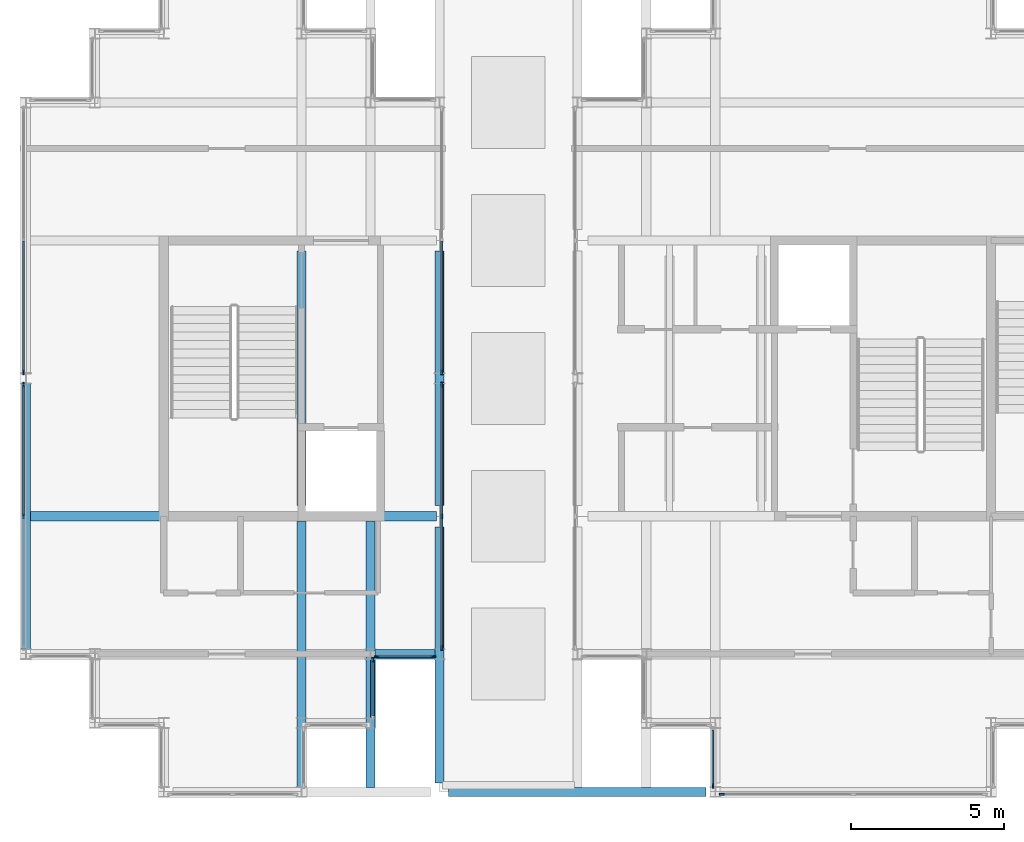
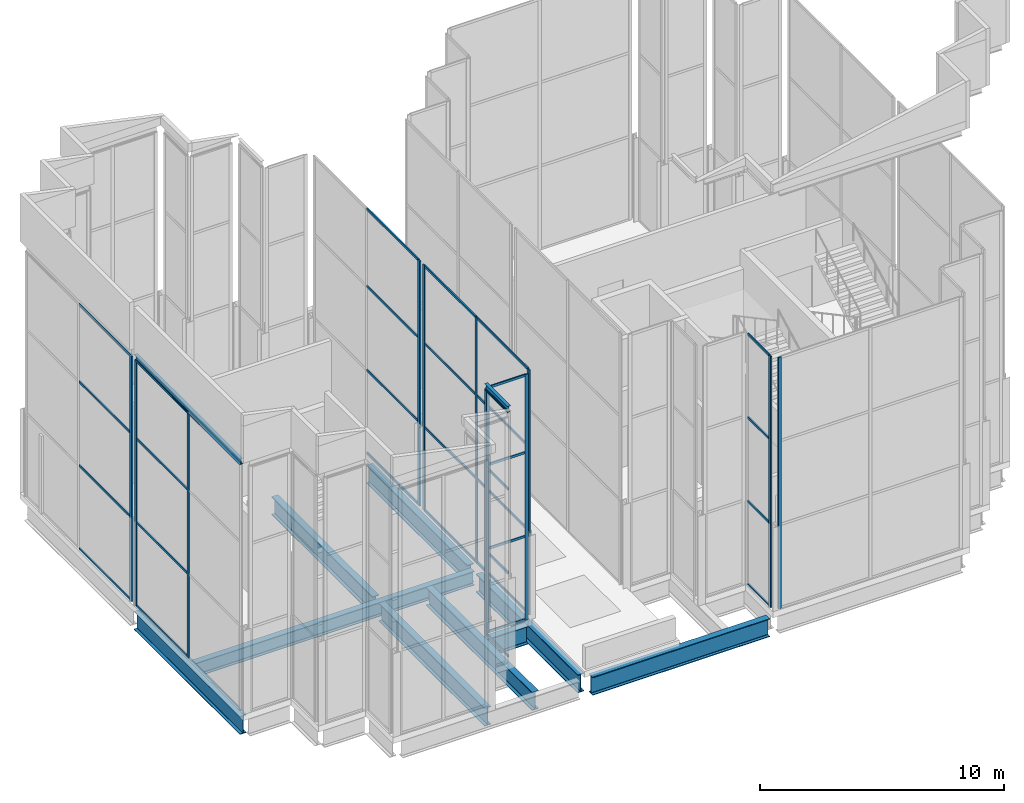
# One storey, part 3 of 23: 44 members, 11 beams, 8 elements without a shape of their own.
"""IFC4 building model written with IfcOpenShell, lengths in metres."""

from ifc_helpers import new_model, si_unit, direction, frame, origin, origin_2d, place, context, subcontext, project, spatial, rectangle, i_section, extrude, material, layer, layer_set, material_profile, profile_set, type_object, element, aggregate, save


model = new_model("IFC4")

# Units and contexts
model_context = context("Model", 3, precision=1e-05, world=origin(), true_north=direction((0.0, 1.0)))
body_context = subcontext(model_context, "Body", "Model", "MODEL_VIEW")
ifc_project = project(units=[si_unit("LENGTHUNIT", "METRE"), si_unit("AREAUNIT", "SQUARE_METRE"), si_unit("VOLUMEUNIT", "CUBIC_METRE"), si_unit("PLANEANGLEUNIT", "RADIAN"), si_unit("MASSUNIT", "GRAM", prefix="KILO")], contexts=[model_context])

# Site, building, storey
site_placement = place(None, origin())
site = spatial("IfcSite", under=ifc_project, at=site_placement, CompositionType="ELEMENT")
building_placement = place(site_placement, origin())
building = spatial("IfcBuilding", under=site, at=building_placement, Name="Caravel Reach Hotel and Residences", CompositionType="ELEMENT")
storey_placement = place(building_placement, frame((0.0, 0.0, 312.800048828125)))
storey = spatial("IfcBuildingStorey", under=building, at=storey_placement, Name="L79", CompositionType="ELEMENT", Elevation=312.800048828125)

# Beams
ifc_material_1 = material(Name="Structural steel Q355B", Category="steel")
ifc_material_profile_1 = material_profile(ifc_material_1, i_section(OverallWidth=0.14990234375, OverallDepth=0.300048828125, WebThickness=0.006591796875, FlangeThickness=0.009033203125, FilletRadius=0.012939453125, at=origin_2d()), Name="HN 300x150x6.5x9")
ifc_profile_set_1 = profile_set([ifc_material_profile_1], Name="Structural steel Q355B")
beam_type_1 = type_object("IfcBeamType", Name="Beam HN 300x150x6.5x9", PredefinedType="BEAM", material=ifc_profile_set_1)
beam_1_placement = place(storey_placement, frame((24.824951171875, 15.925048828125, 12.449951171875), z_axis=(0.0, 1.0, 0.0), x_axis=(-1.0, 0.0, 0.0)))
element("IfcBeam", 1, at=beam_1_placement, inside=storey, type_object=beam_type_1, Name="Eave tie beam west 23.1", PredefinedType="BEAM", context=body_context, shape_type="SweptSolid", body=[
    extrude(i_section(OverallWidth=0.14990234375, OverallDepth=0.300048828125, WebThickness=0.006591796875, FlangeThickness=0.009033203125, FilletRadius=0.012939453125, at=origin_2d()), origin(), (0.0, 0.0, 1.0), 1.89990234375),
])
beam_2_placement = place(storey_placement, frame((13.425048828125, 26.824951171875, 12.449951171875), z_axis=(0.0, -1.0, 0.0), x_axis=(1.0, 0.0, 0.0)))
element("IfcBeam", 2, at=beam_2_placement, inside=storey, type_object=beam_type_1, Name="Eave tie beam west 35.2", PredefinedType="BEAM", context=body_context, shape_type="SweptSolid", body=[
    extrude(i_section(OverallWidth=0.14990234375, OverallDepth=0.300048828125, WebThickness=0.006591796875, FlangeThickness=0.009033203125, FilletRadius=0.012939453125, at=origin_2d()), origin(), (0.0, 0.0, 1.0), 8.64990234375),
])
ifc_material_2 = material(Name="Structural steel Q355B", Category="steel")
ifc_material_profile_2 = material_profile(ifc_material_2, i_section(OverallWidth=0.300048828125, OverallDepth=0.699951171875, WebThickness=0.012939453125, FlangeThickness=0.02392578125, FilletRadius=0.01806640625, at=origin_2d()), Name="HN 700x300x13x24")
ifc_profile_set_2 = profile_set([ifc_material_profile_2], Name="Structural steel Q355B")
beam_type_2 = type_object("IfcBeamType", Name="Beam HN 700x300x13x24", PredefinedType="BEAM", material=ifc_profile_set_2)
beam_3_placement = place(storey_placement, frame((13.60009765625, 22.5, -0.650146484375), z_axis=(1.0, 0.0, 0.0), x_axis=(0.0, 1.0, 0.0)))
element("IfcBeam", 3, at=beam_3_placement, inside=storey, type_object=beam_type_2, Name="B2 HN 700x300x13x24", PredefinedType="BEAM", context=body_context, shape_type="SweptSolid", body=[
    extrude(i_section(OverallWidth=0.300048828125, OverallDepth=0.699951171875, WebThickness=0.012939453125, FlangeThickness=0.02392578125, FilletRadius=0.01806640625, at=origin_2d()), origin(), (0.0, 0.0, 1.0), 13.2998046875),
])
ifc_material_3 = material(Name="Structural steel Q355B", Category="steel")
ifc_material_profile_3 = material_profile(ifc_material_3, i_section(OverallWidth=0.302001953125, OverallDepth=0.912109375, WebThickness=0.01806640625, FlangeThickness=0.033935546875, FilletRadius=0.01806640625, at=origin_2d()), Name="HN 900x300x18x34")
ifc_profile_set_3 = profile_set([ifc_material_profile_3], Name="Structural steel Q355B")
beam_type_3 = type_object("IfcBeamType", Name="Beam HN 900x300x18x34", PredefinedType="BEAM", material=ifc_profile_set_3)
beam_4_placement = place(storey_placement, frame((24.89990234375, 18.0, -0.756103515625), z_axis=(1.0, 0.0, 0.0), x_axis=(0.0, 1.0, 0.0)))
element("IfcBeam", 4, at=beam_4_placement, inside=storey, type_object=beam_type_3, Name="B10 HN 900x300x18x34", PredefinedType="BEAM", context=body_context, shape_type="SweptSolid", body=[
    extrude(i_section(OverallWidth=0.302001953125, OverallDepth=0.912109375, WebThickness=0.01806640625, FlangeThickness=0.033935546875, FilletRadius=0.01806640625, at=origin_2d()), origin(), (0.0, 0.0, 1.0), 1.9501953125),
])
beam_5_placement = place(storey_placement, frame((13.5, 26.85009765625, -0.756103515625), z_axis=(0.0, -1.0, 0.0), x_axis=(1.0, 0.0, 0.0)))
element("IfcBeam", 5, at=beam_5_placement, inside=storey, type_object=beam_type_3, Name="B10 HN 900x300x18x34", PredefinedType="BEAM", context=body_context, shape_type="SweptSolid", body=[
    extrude(i_section(OverallWidth=0.302001953125, OverallDepth=0.912109375, WebThickness=0.01806640625, FlangeThickness=0.033935546875, FilletRadius=0.01806640625, at=origin_2d()), origin(), (0.0, 0.0, 1.0), 8.7001953125),
])
beam_6_placement = place(storey_placement, frame((27.0, 13.800048828125, -0.756103515625), z_axis=(0.0, 1.0, 0.0), x_axis=(-1.0, 0.0, 0.0)))
element("IfcBeam", 6, at=beam_6_placement, inside=storey, type_object=beam_type_3, Name="Transfer girder TG-L79-270-135", PredefinedType="BEAM", context=body_context, shape_type="SweptSolid", body=[
    extrude(i_section(OverallWidth=0.302001953125, OverallDepth=0.912109375, WebThickness=0.01806640625, FlangeThickness=0.033935546875, FilletRadius=0.01806640625, at=origin_2d()), origin(), (0.0, 0.0, 1.0), 8.349853515625),
])
beam_7_placement = place(storey_placement, frame((27.0, 22.85009765625, -0.756103515625), z_axis=(0.0, 1.0, 0.0), x_axis=(-1.0, 0.0, 0.0)))
element("IfcBeam", 7, at=beam_7_placement, inside=storey, type_object=beam_type_3, Name="Transfer girder TG-L79-270-225", PredefinedType="BEAM", context=body_context, shape_type="SweptSolid", body=[
    extrude(i_section(OverallWidth=0.302001953125, OverallDepth=0.912109375, WebThickness=0.01806640625, FlangeThickness=0.033935546875, FilletRadius=0.01806640625, at=origin_2d()), origin(), (0.0, 0.0, 1.0), 8.2998046875),
])
for number, where, z_axis, x_axis, name in (
    (8, (22.5, 13.64990234375, -0.756103515625), (0.0, 1.0, 0.0), (-1.0, 0.0, 0.0), "Transfer girder TG-L79-2250-135"),
    (9, (24.75, 13.64990234375, -0.756103515625), (0.0, 1.0, 0.0), (-1.0, 0.0, 0.0), "Transfer girder TG-L79-2475-135"),
):
    element("IfcBeam", number, at=place(storey_placement, frame(where, z_axis=z_axis, x_axis=x_axis)), inside=storey, type_object=beam_type_3, Name=name, PredefinedType="BEAM", context=body_context, shape_type="SweptSolid", body=[
        extrude(i_section(OverallWidth=0.302001953125, OverallDepth=0.912109375, WebThickness=0.01806640625, FlangeThickness=0.033935546875, FilletRadius=0.01806640625, at=origin_2d()), origin(), (0.0, 0.0, 1.0), 8.7001953125),
    ])
beam_8_placement = place(storey_placement, frame((22.5, 22.85009765625, -0.756103515625), z_axis=(0.0, 1.0, 0.0), x_axis=(-1.0, 0.0, 0.0)))
element("IfcBeam", 10, at=beam_8_placement, inside=storey, type_object=beam_type_3, Name="Transfer girder TG-L79-225-core", PredefinedType="BEAM", context=body_context, shape_type="SweptSolid", body=[
    extrude(i_section(OverallWidth=0.302001953125, OverallDepth=0.912109375, WebThickness=0.01806640625, FlangeThickness=0.033935546875, FilletRadius=0.01806640625, at=origin_2d()), origin(), (0.0, 0.0, 1.0), 8.2998046875),
])
beam_9_placement = place(storey_placement, frame((27.300048828125, 13.5, -0.756103515625), z_axis=(1.0, 0.0, 0.0), x_axis=(0.0, 1.0, 0.0)))
element("IfcBeam", 11, at=beam_9_placement, inside=storey, type_object=beam_type_3, Name="Transfer girder TG-L79-Y135-270", PredefinedType="BEAM", context=body_context, shape_type="SweptSolid", body=[
    extrude(i_section(OverallWidth=0.302001953125, OverallDepth=0.912109375, WebThickness=0.01806640625, FlangeThickness=0.033935546875, FilletRadius=0.01806640625, at=origin_2d()), origin(), (0.0, 0.0, 1.0), 8.39990234375),
])

# Curtain wall, member
ifc_material_4 = material(Name="Dark low-e glazing in black aluminium frame", Category="aluminium")
ifc_layer = layer(ifc_material_4, 0.199951171875)
ifc_layer_set = layer_set([ifc_layer], Name="CW4 Crown glazing")
curtain_wall_type = type_object("IfcCurtainWallType", Name="CW4 Crown glazing", PredefinedType="NOTDEFINED", material=ifc_layer_set)
curtain_wall_1_placement = place(storey_placement, origin())
curtain_wall_1 = element("IfcCurtainWall", 12, at=curtain_wall_1_placement, inside=storey, type_object=curtain_wall_type, Name="Crown glazing b0", PredefinedType="NOTDEFINED")
ifc_material_5 = material(Name="Anodised aluminium alloy 6063-T5, black", Category="aluminium")
ifc_material_profile_4 = material_profile(ifc_material_5, rectangle(XDim=0.06005859375, YDim=0.159912109375, at=origin_2d()), Name="CW mullion 60 x 160")
ifc_profile_set_4 = profile_set([ifc_material_profile_4], Name="Anodised aluminium alloy 6063-T5, black")
member_type_1 = type_object("IfcMemberType", Name="CW mullion 60 x 160", PredefinedType="MULLION", material=ifc_profile_set_4)
member_1_placement = place(storey_placement, frame((35.925048828125, 13.705078125, 0.0), z_axis=(0.0, 0.0, 1.0), x_axis=(1.0, 0.0, 0.0)))
member_1 = element("IfcMember", 13, at=member_1_placement, type_object=member_type_1, Name="CW4 mullion 2", PredefinedType="MULLION", context=body_context, shape_type="SweptSolid", body=[
    extrude(rectangle(XDim=0.06005859375, YDim=0.159912109375, at=origin_2d()), origin(), (0.0, 0.0, 1.0), 12.599853515625),
])

curtain_wall_2_placement = place(storey_placement, origin())
curtain_wall_2 = element("IfcCurtainWall", 14, at=curtain_wall_2_placement, inside=storey, type_object=curtain_wall_type, Name="Crown glazing b0", PredefinedType="NOTDEFINED")
member_2_placement = place(storey_placement, frame((36.205078125, 13.425048828125, 0.0), z_axis=(0.0, 0.0, 1.0), x_axis=(0.0, 1.0, 0.0)))
member_2 = element("IfcMember", 15, at=member_2_placement, type_object=member_type_1, Name="CW4 mullion 1", PredefinedType="MULLION", context=body_context, shape_type="SweptSolid", body=[
    extrude(rectangle(XDim=0.06005859375, YDim=0.159912109375, at=origin_2d()), origin(), (0.0, 0.0, 1.0), 12.599853515625),
])
aggregate(curtain_wall_2, [member_2])

curtain_wall_3_placement = place(storey_placement, origin())
curtain_wall_3 = element("IfcCurtainWall", 16, at=curtain_wall_3_placement, inside=storey, type_object=curtain_wall_type, Name="Crown glazing b0", PredefinedType="NOTDEFINED")
member_3_placement = place(storey_placement, frame((24.824951171875, 17.794921875, 0.0), z_axis=(0.0, 0.0, 1.0), x_axis=(-1.0, 0.0, 0.0)))
member_3 = element("IfcMember", 17, at=member_3_placement, type_object=member_type_1, Name="CW4 mullion 2", PredefinedType="MULLION", context=body_context, shape_type="SweptSolid", body=[
    extrude(rectangle(XDim=0.06005859375, YDim=0.159912109375, at=origin_2d()), origin(), (0.0, 0.0, 1.0), 12.300048828125),
])

# Curtain wall, members
curtain_wall_4_placement = place(storey_placement, origin())
curtain_wall_4 = element("IfcCurtainWall", 18, at=curtain_wall_4_placement, inside=storey, type_object=curtain_wall_type, Name="Crown glazing b0", PredefinedType="NOTDEFINED")
member_4_placement = place(storey_placement, frame((24.955078125, 17.925048828125, 0.0), z_axis=(0.0, 0.0, 1.0), x_axis=(0.0, 1.0, 0.0)))
member_4 = element("IfcMember", 19, at=member_4_placement, type_object=member_type_1, Name="CW4 mullion 1", PredefinedType="MULLION", context=body_context, shape_type="SweptSolid", body=[
    extrude(rectangle(XDim=0.06005859375, YDim=0.159912109375, at=origin_2d()), origin(), (0.0, 0.0, 1.0), 12.300048828125),
])
member_5_placement = place(storey_placement, frame((26.794921875, 17.925048828125, 0.0), z_axis=(0.0, 0.0, 1.0), x_axis=(0.0, 1.0, 0.0)))
member_5 = element("IfcMember", 20, at=member_5_placement, type_object=member_type_1, Name="CW4 mullion 2", PredefinedType="MULLION", context=body_context, shape_type="SweptSolid", body=[
    extrude(rectangle(XDim=0.06005859375, YDim=0.159912109375, at=origin_2d()), origin(), (0.0, 0.0, 1.0), 12.300048828125),
])

curtain_wall_5_placement = place(storey_placement, origin())
curtain_wall_5 = element("IfcCurtainWall", 21, at=curtain_wall_5_placement, inside=storey, type_object=curtain_wall_type, Name="Crown glazing b0", PredefinedType="NOTDEFINED")
member_6_placement = place(storey_placement, frame((27.074951171875, 18.205078125, 0.0), z_axis=(0.0, 0.0, 1.0), x_axis=(-1.0, 0.0, 0.0)))
member_6 = element("IfcMember", 22, at=member_6_placement, type_object=member_type_1, Name="CW4 mullion 1", PredefinedType="MULLION", context=body_context, shape_type="SweptSolid", body=[
    extrude(rectangle(XDim=0.06005859375, YDim=0.159912109375, at=origin_2d()), origin(), (0.0, 0.0, 1.0), 12.300048828125),
])
member_7_placement = place(storey_placement, frame((27.074951171875, 22.5, 0.0), z_axis=(0.0, 0.0, 1.0), x_axis=(-1.0, 0.0, 0.0)))
member_7 = element("IfcMember", 23, at=member_7_placement, type_object=member_type_1, Name="CW4 mullion 2", PredefinedType="MULLION", context=body_context, shape_type="SweptSolid", body=[
    extrude(rectangle(XDim=0.06005859375, YDim=0.159912109375, at=origin_2d()), origin(), (0.0, 0.0, 1.0), 12.300048828125),
])
member_8_placement = place(storey_placement, frame((27.074951171875, 26.794921875, 0.0), z_axis=(0.0, 0.0, 1.0), x_axis=(-1.0, 0.0, 0.0)))
member_8 = element("IfcMember", 24, at=member_8_placement, type_object=member_type_1, Name="CW4 mullion 3", PredefinedType="MULLION", context=body_context, shape_type="SweptSolid", body=[
    extrude(rectangle(XDim=0.06005859375, YDim=0.159912109375, at=origin_2d()), origin(), (0.0, 0.0, 1.0), 12.300048828125),
])

# Curtain wall, member
curtain_wall_6_placement = place(storey_placement, origin())
curtain_wall_6 = element("IfcCurtainWall", 25, at=curtain_wall_6_placement, inside=storey, type_object=curtain_wall_type, Name="Crown glazing b1", PredefinedType="NOTDEFINED")
member_9_placement = place(storey_placement, frame((27.074951171875, 27.205078125, 0.0), z_axis=(0.0, 0.0, 1.0), x_axis=(-1.0, 0.0, 0.0)))
member_9 = element("IfcMember", 26, at=member_9_placement, type_object=member_type_1, Name="CW4 mullion 1", PredefinedType="MULLION", context=body_context, shape_type="SweptSolid", body=[
    extrude(rectangle(XDim=0.06005859375, YDim=0.159912109375, at=origin_2d()), origin(), (0.0, 0.0, 1.0), 12.300048828125),
])

curtain_wall_7_placement = place(storey_placement, origin())
curtain_wall_7 = element("IfcCurtainWall", 27, at=curtain_wall_7_placement, inside=storey, type_object=curtain_wall_type, Name="Crown glazing b0", PredefinedType="NOTDEFINED")
member_10_placement = place(storey_placement, frame((13.425048828125, 27.205078125, 0.0), z_axis=(0.0, 0.0, 1.0), x_axis=(1.0, 0.0, 0.0)))
member_10 = element("IfcMember", 28, at=member_10_placement, type_object=member_type_1, Name="CW4 mullion 3", PredefinedType="MULLION", context=body_context, shape_type="SweptSolid", body=[
    extrude(rectangle(XDim=0.06005859375, YDim=0.159912109375, at=origin_2d()), origin(), (0.0, 0.0, 1.0), 12.300048828125),
])

# Curtain wall, members
curtain_wall_8_placement = place(storey_placement, origin())
curtain_wall_8 = element("IfcCurtainWall", 29, at=curtain_wall_8_placement, inside=storey, type_object=curtain_wall_type, Name="Crown glazing b1", PredefinedType="NOTDEFINED")
member_11_placement = place(storey_placement, frame((13.425048828125, 26.794921875, 0.0), z_axis=(0.0, 0.0, 1.0), x_axis=(1.0, 0.0, 0.0)))
member_11 = element("IfcMember", 30, at=member_11_placement, type_object=member_type_1, Name="CW4 mullion 1", PredefinedType="MULLION", context=body_context, shape_type="SweptSolid", body=[
    extrude(rectangle(XDim=0.06005859375, YDim=0.159912109375, at=origin_2d()), origin(), (0.0, 0.0, 1.0), 12.300048828125),
])
member_12_placement = place(storey_placement, frame((13.425048828125, 22.5, 0.0), z_axis=(0.0, 0.0, 1.0), x_axis=(1.0, 0.0, 0.0)))
member_12 = element("IfcMember", 31, at=member_12_placement, type_object=member_type_1, Name="CW4 mullion 2", PredefinedType="MULLION", context=body_context, shape_type="SweptSolid", body=[
    extrude(rectangle(XDim=0.06005859375, YDim=0.159912109375, at=origin_2d()), origin(), (0.0, 0.0, 1.0), 12.300048828125),
])

# Member
ifc_material_6 = material(Name="Anodised aluminium alloy 6063-T5, black", Category="aluminium")
ifc_material_profile_5 = material_profile(ifc_material_6, rectangle(XDim=0.06005859375, YDim=0.1201171875, at=origin_2d()), Name="CW transom 60 x 120")
ifc_profile_set_5 = profile_set([ifc_material_profile_5], Name="Anodised aluminium alloy 6063-T5, black")
member_type_2 = type_object("IfcMemberType", Name="CW transom 60 x 120", PredefinedType="USERDEFINED", material=ifc_profile_set_5)
member_13_placement = place(storey_placement, frame((35.925048828125, 15.514892578125, 0.030029296875), z_axis=(0.0, -1.0, 0.0), x_axis=(1.0, 0.0, 0.0)))
member_13 = element("IfcMember", 32, at=member_13_placement, type_object=member_type_2, Name="CW4 transom 1.1", ObjectType="TRANSOM", PredefinedType="USERDEFINED", context=body_context, shape_type="SweptSolid", body=[
    extrude(rectangle(XDim=0.06005859375, YDim=0.1201171875, at=origin_2d()), origin(), (0.0, 0.0, 1.0), 1.77978515625),
])

member_14_placement = place(storey_placement, frame((35.925048828125, 15.514892578125, 4.199951171875), z_axis=(0.0, -1.0, 0.0), x_axis=(1.0, 0.0, 0.0)))
member_14 = element("IfcMember", 33, at=member_14_placement, type_object=member_type_2, Name="CW4 transom 1.2", ObjectType="TRANSOM", PredefinedType="USERDEFINED", context=body_context, shape_type="SweptSolid", body=[
    extrude(rectangle(XDim=0.06005859375, YDim=0.1201171875, at=origin_2d()), origin(), (0.0, 0.0, 1.0), 1.77978515625),
])

member_15_placement = place(storey_placement, frame((35.925048828125, 15.514892578125, 8.39990234375), z_axis=(0.0, -1.0, 0.0), x_axis=(1.0, 0.0, 0.0)))
member_15 = element("IfcMember", 34, at=member_15_placement, type_object=member_type_2, Name="CW4 transom 1.3", ObjectType="TRANSOM", PredefinedType="USERDEFINED", context=body_context, shape_type="SweptSolid", body=[
    extrude(rectangle(XDim=0.06005859375, YDim=0.1201171875, at=origin_2d()), origin(), (0.0, 0.0, 1.0), 1.77978515625),
])

member_16_placement = place(storey_placement, frame((35.925048828125, 15.514892578125, 12.570068359375), z_axis=(0.0, -1.0, 0.0), x_axis=(1.0, 0.0, 0.0)))
member_16 = element("IfcMember", 35, at=member_16_placement, type_object=member_type_2, Name="CW4 transom 1.4", ObjectType="TRANSOM", PredefinedType="USERDEFINED", context=body_context, shape_type="SweptSolid", body=[
    extrude(rectangle(XDim=0.06005859375, YDim=0.1201171875, at=origin_2d()), origin(), (0.0, 0.0, 1.0), 1.77978515625),
])

aggregate(curtain_wall_1, [member_1, member_13, member_14, member_15, member_16])

member_17_placement = place(storey_placement, frame((24.824951171875, 15.985107421875, 0.030029296875), z_axis=(0.0, 1.0, 0.0), x_axis=(-1.0, 0.0, 0.0)))
member_17 = element("IfcMember", 36, at=member_17_placement, type_object=member_type_2, Name="CW4 transom 1.1", ObjectType="TRANSOM", PredefinedType="USERDEFINED", context=body_context, shape_type="SweptSolid", body=[
    extrude(rectangle(XDim=0.06005859375, YDim=0.1201171875, at=origin_2d()), origin(), (0.0, 0.0, 1.0), 1.77978515625),
])

member_18_placement = place(storey_placement, frame((24.824951171875, 15.985107421875, 4.199951171875), z_axis=(0.0, 1.0, 0.0), x_axis=(-1.0, 0.0, 0.0)))
member_18 = element("IfcMember", 37, at=member_18_placement, type_object=member_type_2, Name="CW4 transom 1.2", ObjectType="TRANSOM", PredefinedType="USERDEFINED", context=body_context, shape_type="SweptSolid", body=[
    extrude(rectangle(XDim=0.06005859375, YDim=0.1201171875, at=origin_2d()), origin(), (0.0, 0.0, 1.0), 1.77978515625),
])

member_19_placement = place(storey_placement, frame((24.824951171875, 15.985107421875, 8.39990234375), z_axis=(0.0, 1.0, 0.0), x_axis=(-1.0, 0.0, 0.0)))
member_19 = element("IfcMember", 38, at=member_19_placement, type_object=member_type_2, Name="CW4 transom 1.3", ObjectType="TRANSOM", PredefinedType="USERDEFINED", context=body_context, shape_type="SweptSolid", body=[
    extrude(rectangle(XDim=0.06005859375, YDim=0.1201171875, at=origin_2d()), origin(), (0.0, 0.0, 1.0), 1.77978515625),
])

member_20_placement = place(storey_placement, frame((24.824951171875, 15.985107421875, 12.27001953125), z_axis=(0.0, 1.0, 0.0), x_axis=(-1.0, 0.0, 0.0)))
member_20 = element("IfcMember", 39, at=member_20_placement, type_object=member_type_2, Name="CW4 transom 1.4", ObjectType="TRANSOM", PredefinedType="USERDEFINED", context=body_context, shape_type="SweptSolid", body=[
    extrude(rectangle(XDim=0.06005859375, YDim=0.1201171875, at=origin_2d()), origin(), (0.0, 0.0, 1.0), 1.77978515625),
])

aggregate(curtain_wall_3, [member_3, member_17, member_18, member_19, member_20])

member_21_placement = place(storey_placement, frame((24.985107421875, 17.925048828125, 0.030029296875), z_axis=(1.0, 0.0, 0.0), x_axis=(0.0, 1.0, 0.0)))
member_21 = element("IfcMember", 40, at=member_21_placement, type_object=member_type_2, Name="CW4 transom 1.1", ObjectType="TRANSOM", PredefinedType="USERDEFINED", context=body_context, shape_type="SweptSolid", body=[
    extrude(rectangle(XDim=0.06005859375, YDim=0.1201171875, at=origin_2d()), origin(), (0.0, 0.0, 1.0), 1.77978515625),
])

member_22_placement = place(storey_placement, frame((24.985107421875, 17.925048828125, 4.199951171875), z_axis=(1.0, 0.0, 0.0), x_axis=(0.0, 1.0, 0.0)))
member_22 = element("IfcMember", 41, at=member_22_placement, type_object=member_type_2, Name="CW4 transom 1.2", ObjectType="TRANSOM", PredefinedType="USERDEFINED", context=body_context, shape_type="SweptSolid", body=[
    extrude(rectangle(XDim=0.06005859375, YDim=0.1201171875, at=origin_2d()), origin(), (0.0, 0.0, 1.0), 1.77978515625),
])

member_23_placement = place(storey_placement, frame((24.985107421875, 17.925048828125, 8.39990234375), z_axis=(1.0, 0.0, 0.0), x_axis=(0.0, 1.0, 0.0)))
member_23 = element("IfcMember", 42, at=member_23_placement, type_object=member_type_2, Name="CW4 transom 1.3", ObjectType="TRANSOM", PredefinedType="USERDEFINED", context=body_context, shape_type="SweptSolid", body=[
    extrude(rectangle(XDim=0.06005859375, YDim=0.1201171875, at=origin_2d()), origin(), (0.0, 0.0, 1.0), 1.77978515625),
])

member_24_placement = place(storey_placement, frame((24.985107421875, 17.925048828125, 12.27001953125), z_axis=(1.0, 0.0, 0.0), x_axis=(0.0, 1.0, 0.0)))
member_24 = element("IfcMember", 43, at=member_24_placement, type_object=member_type_2, Name="CW4 transom 1.4", ObjectType="TRANSOM", PredefinedType="USERDEFINED", context=body_context, shape_type="SweptSolid", body=[
    extrude(rectangle(XDim=0.06005859375, YDim=0.1201171875, at=origin_2d()), origin(), (0.0, 0.0, 1.0), 1.77978515625),
])

aggregate(curtain_wall_4, [member_4, member_5, member_21, member_22, member_23, member_24])

member_25_placement = place(storey_placement, frame((27.074951171875, 18.235107421875, 0.030029296875), z_axis=(0.0, 1.0, 0.0), x_axis=(-1.0, 0.0, 0.0)))
member_25 = element("IfcMember", 44, at=member_25_placement, type_object=member_type_2, Name="CW4 transom 1.1", ObjectType="TRANSOM", PredefinedType="USERDEFINED", context=body_context, shape_type="SweptSolid", body=[
    extrude(rectangle(XDim=0.06005859375, YDim=0.1201171875, at=origin_2d()), origin(), (0.0, 0.0, 1.0), 4.23486328125),
])

member_26_placement = place(storey_placement, frame((27.074951171875, 18.235107421875, 4.199951171875), z_axis=(0.0, 1.0, 0.0), x_axis=(-1.0, 0.0, 0.0)))
member_26 = element("IfcMember", 45, at=member_26_placement, type_object=member_type_2, Name="CW4 transom 1.2", ObjectType="TRANSOM", PredefinedType="USERDEFINED", context=body_context, shape_type="SweptSolid", body=[
    extrude(rectangle(XDim=0.06005859375, YDim=0.1201171875, at=origin_2d()), origin(), (0.0, 0.0, 1.0), 4.23486328125),
])

member_27_placement = place(storey_placement, frame((27.074951171875, 18.235107421875, 8.39990234375), z_axis=(0.0, 1.0, 0.0), x_axis=(-1.0, 0.0, 0.0)))
member_27 = element("IfcMember", 46, at=member_27_placement, type_object=member_type_2, Name="CW4 transom 1.3", ObjectType="TRANSOM", PredefinedType="USERDEFINED", context=body_context, shape_type="SweptSolid", body=[
    extrude(rectangle(XDim=0.06005859375, YDim=0.1201171875, at=origin_2d()), origin(), (0.0, 0.0, 1.0), 4.23486328125),
])

member_28_placement = place(storey_placement, frame((27.074951171875, 18.235107421875, 12.27001953125), z_axis=(0.0, 1.0, 0.0), x_axis=(-1.0, 0.0, 0.0)))
member_28 = element("IfcMember", 47, at=member_28_placement, type_object=member_type_2, Name="CW4 transom 1.4", ObjectType="TRANSOM", PredefinedType="USERDEFINED", context=body_context, shape_type="SweptSolid", body=[
    extrude(rectangle(XDim=0.06005859375, YDim=0.1201171875, at=origin_2d()), origin(), (0.0, 0.0, 1.0), 4.23486328125),
])

member_29_placement = place(storey_placement, frame((27.074951171875, 22.530029296875, 0.030029296875), z_axis=(0.0, 1.0, 0.0), x_axis=(-1.0, 0.0, 0.0)))
member_29 = element("IfcMember", 48, at=member_29_placement, type_object=member_type_2, Name="CW4 transom 2.1", ObjectType="TRANSOM", PredefinedType="USERDEFINED", context=body_context, shape_type="SweptSolid", body=[
    extrude(rectangle(XDim=0.06005859375, YDim=0.1201171875, at=origin_2d()), origin(), (0.0, 0.0, 1.0), 4.23486328125),
])

member_30_placement = place(storey_placement, frame((27.074951171875, 22.530029296875, 4.199951171875), z_axis=(0.0, 1.0, 0.0), x_axis=(-1.0, 0.0, 0.0)))
member_30 = element("IfcMember", 49, at=member_30_placement, type_object=member_type_2, Name="CW4 transom 2.2", ObjectType="TRANSOM", PredefinedType="USERDEFINED", context=body_context, shape_type="SweptSolid", body=[
    extrude(rectangle(XDim=0.06005859375, YDim=0.1201171875, at=origin_2d()), origin(), (0.0, 0.0, 1.0), 4.23486328125),
])

member_31_placement = place(storey_placement, frame((27.074951171875, 22.530029296875, 8.39990234375), z_axis=(0.0, 1.0, 0.0), x_axis=(-1.0, 0.0, 0.0)))
member_31 = element("IfcMember", 50, at=member_31_placement, type_object=member_type_2, Name="CW4 transom 2.3", ObjectType="TRANSOM", PredefinedType="USERDEFINED", context=body_context, shape_type="SweptSolid", body=[
    extrude(rectangle(XDim=0.06005859375, YDim=0.1201171875, at=origin_2d()), origin(), (0.0, 0.0, 1.0), 4.23486328125),
])

member_32_placement = place(storey_placement, frame((27.074951171875, 22.530029296875, 12.27001953125), z_axis=(0.0, 1.0, 0.0), x_axis=(-1.0, 0.0, 0.0)))
member_32 = element("IfcMember", 51, at=member_32_placement, type_object=member_type_2, Name="CW4 transom 2.4", ObjectType="TRANSOM", PredefinedType="USERDEFINED", context=body_context, shape_type="SweptSolid", body=[
    extrude(rectangle(XDim=0.06005859375, YDim=0.1201171875, at=origin_2d()), origin(), (0.0, 0.0, 1.0), 4.23486328125),
])

aggregate(curtain_wall_5, [member_6, member_7, member_8, member_25, member_26, member_27, member_28, member_29, member_30, member_31, member_32])

member_33_placement = place(storey_placement, frame((27.074951171875, 27.235107421875, 0.030029296875), z_axis=(0.0, 1.0, 0.0), x_axis=(-1.0, 0.0, 0.0)))
member_33 = element("IfcMember", 52, at=member_33_placement, type_object=member_type_2, Name="CW4 transom 1.1", ObjectType="TRANSOM", PredefinedType="USERDEFINED", context=body_context, shape_type="SweptSolid", body=[
    extrude(rectangle(XDim=0.06005859375, YDim=0.1201171875, at=origin_2d()), origin(), (0.0, 0.0, 1.0), 4.23486328125),
])

member_34_placement = place(storey_placement, frame((27.074951171875, 27.235107421875, 4.199951171875), z_axis=(0.0, 1.0, 0.0), x_axis=(-1.0, 0.0, 0.0)))
member_34 = element("IfcMember", 53, at=member_34_placement, type_object=member_type_2, Name="CW4 transom 1.2", ObjectType="TRANSOM", PredefinedType="USERDEFINED", context=body_context, shape_type="SweptSolid", body=[
    extrude(rectangle(XDim=0.06005859375, YDim=0.1201171875, at=origin_2d()), origin(), (0.0, 0.0, 1.0), 4.23486328125),
])

member_35_placement = place(storey_placement, frame((27.074951171875, 27.235107421875, 8.39990234375), z_axis=(0.0, 1.0, 0.0), x_axis=(-1.0, 0.0, 0.0)))
member_35 = element("IfcMember", 54, at=member_35_placement, type_object=member_type_2, Name="CW4 transom 1.3", ObjectType="TRANSOM", PredefinedType="USERDEFINED", context=body_context, shape_type="SweptSolid", body=[
    extrude(rectangle(XDim=0.06005859375, YDim=0.1201171875, at=origin_2d()), origin(), (0.0, 0.0, 1.0), 4.23486328125),
])

member_36_placement = place(storey_placement, frame((27.074951171875, 27.235107421875, 12.27001953125), z_axis=(0.0, 1.0, 0.0), x_axis=(-1.0, 0.0, 0.0)))
member_36 = element("IfcMember", 55, at=member_36_placement, type_object=member_type_2, Name="CW4 transom 1.4", ObjectType="TRANSOM", PredefinedType="USERDEFINED", context=body_context, shape_type="SweptSolid", body=[
    extrude(rectangle(XDim=0.06005859375, YDim=0.1201171875, at=origin_2d()), origin(), (0.0, 0.0, 1.0), 4.23486328125),
])

aggregate(curtain_wall_6, [member_9, member_33, member_34, member_35, member_36])

member_37_placement = place(storey_placement, frame((13.425048828125, 31.469970703125, 0.030029296875), z_axis=(0.0, -1.0, 0.0), x_axis=(1.0, 0.0, 0.0)))
member_37 = element("IfcMember", 56, at=member_37_placement, type_object=member_type_2, Name="CW4 transom 2.1", ObjectType="TRANSOM", PredefinedType="USERDEFINED", context=body_context, shape_type="SweptSolid", body=[
    extrude(rectangle(XDim=0.06005859375, YDim=0.1201171875, at=origin_2d()), origin(), (0.0, 0.0, 1.0), 4.23486328125),
])

member_38_placement = place(storey_placement, frame((13.425048828125, 31.469970703125, 4.199951171875), z_axis=(0.0, -1.0, 0.0), x_axis=(1.0, 0.0, 0.0)))
member_38 = element("IfcMember", 57, at=member_38_placement, type_object=member_type_2, Name="CW4 transom 2.2", ObjectType="TRANSOM", PredefinedType="USERDEFINED", context=body_context, shape_type="SweptSolid", body=[
    extrude(rectangle(XDim=0.06005859375, YDim=0.1201171875, at=origin_2d()), origin(), (0.0, 0.0, 1.0), 4.23486328125),
])

member_39_placement = place(storey_placement, frame((13.425048828125, 31.469970703125, 8.39990234375), z_axis=(0.0, -1.0, 0.0), x_axis=(1.0, 0.0, 0.0)))
member_39 = element("IfcMember", 58, at=member_39_placement, type_object=member_type_2, Name="CW4 transom 2.3", ObjectType="TRANSOM", PredefinedType="USERDEFINED", context=body_context, shape_type="SweptSolid", body=[
    extrude(rectangle(XDim=0.06005859375, YDim=0.1201171875, at=origin_2d()), origin(), (0.0, 0.0, 1.0), 4.23486328125),
])

member_40_placement = place(storey_placement, frame((13.425048828125, 31.469970703125, 12.27001953125), z_axis=(0.0, -1.0, 0.0), x_axis=(1.0, 0.0, 0.0)))
member_40 = element("IfcMember", 59, at=member_40_placement, type_object=member_type_2, Name="CW4 transom 2.4", ObjectType="TRANSOM", PredefinedType="USERDEFINED", context=body_context, shape_type="SweptSolid", body=[
    extrude(rectangle(XDim=0.06005859375, YDim=0.1201171875, at=origin_2d()), origin(), (0.0, 0.0, 1.0), 4.23486328125),
])

aggregate(curtain_wall_7, [member_10, member_37, member_38, member_39, member_40])

member_41_placement = place(storey_placement, frame((13.425048828125, 26.764892578125, 0.030029296875), z_axis=(0.0, -1.0, 0.0), x_axis=(1.0, 0.0, 0.0)))
member_41 = element("IfcMember", 60, at=member_41_placement, type_object=member_type_2, Name="CW4 transom 1.1", ObjectType="TRANSOM", PredefinedType="USERDEFINED", context=body_context, shape_type="SweptSolid", body=[
    extrude(rectangle(XDim=0.06005859375, YDim=0.1201171875, at=origin_2d()), origin(), (0.0, 0.0, 1.0), 4.23486328125),
])

member_42_placement = place(storey_placement, frame((13.425048828125, 26.764892578125, 4.199951171875), z_axis=(0.0, -1.0, 0.0), x_axis=(1.0, 0.0, 0.0)))
member_42 = element("IfcMember", 61, at=member_42_placement, type_object=member_type_2, Name="CW4 transom 1.2", ObjectType="TRANSOM", PredefinedType="USERDEFINED", context=body_context, shape_type="SweptSolid", body=[
    extrude(rectangle(XDim=0.06005859375, YDim=0.1201171875, at=origin_2d()), origin(), (0.0, 0.0, 1.0), 4.23486328125),
])

member_43_placement = place(storey_placement, frame((13.425048828125, 26.764892578125, 8.39990234375), z_axis=(0.0, -1.0, 0.0), x_axis=(1.0, 0.0, 0.0)))
member_43 = element("IfcMember", 62, at=member_43_placement, type_object=member_type_2, Name="CW4 transom 1.3", ObjectType="TRANSOM", PredefinedType="USERDEFINED", context=body_context, shape_type="SweptSolid", body=[
    extrude(rectangle(XDim=0.06005859375, YDim=0.1201171875, at=origin_2d()), origin(), (0.0, 0.0, 1.0), 4.23486328125),
])

member_44_placement = place(storey_placement, frame((13.425048828125, 26.764892578125, 12.27001953125), z_axis=(0.0, -1.0, 0.0), x_axis=(1.0, 0.0, 0.0)))
member_44 = element("IfcMember", 63, at=member_44_placement, type_object=member_type_2, Name="CW4 transom 1.4", ObjectType="TRANSOM", PredefinedType="USERDEFINED", context=body_context, shape_type="SweptSolid", body=[
    extrude(rectangle(XDim=0.06005859375, YDim=0.1201171875, at=origin_2d()), origin(), (0.0, 0.0, 1.0), 4.23486328125),
])

aggregate(curtain_wall_8, [member_11, member_12, member_41, member_42, member_43, member_44])

save(model, "model.ifc")
